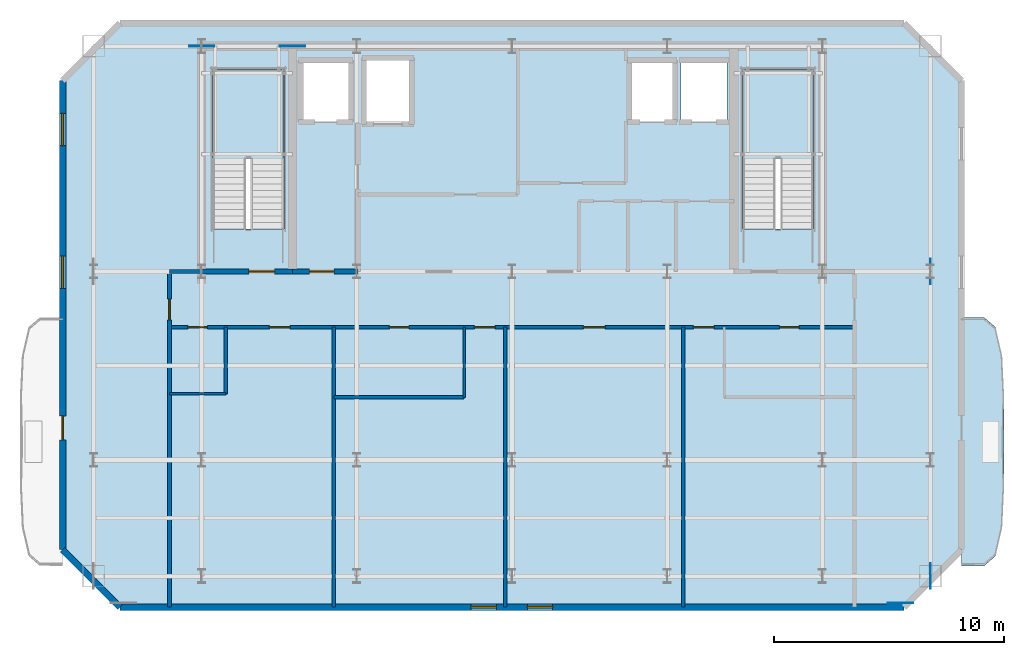
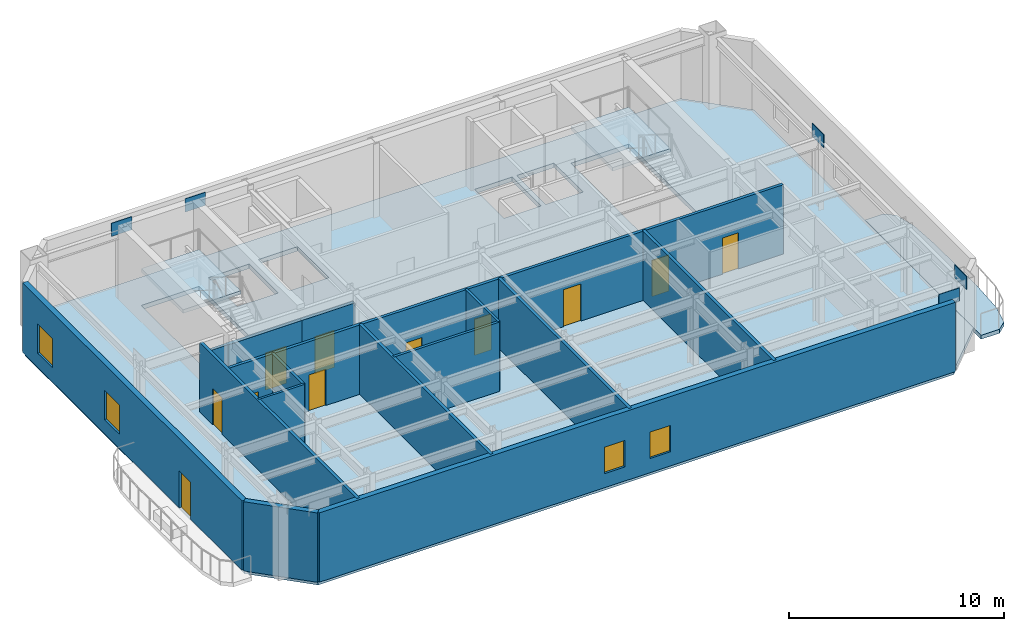
# One storey, part 2 of 6: 15 walls, 11 doors, 5 plates, 4 slabs, 4 windows, 15 openings, 2 elements without a shape of their own.
"""IFC4 building model written with IfcOpenShell, lengths in metres."""

import ifcopenshell
import ifcopenshell.guid

model = None  # the IFC model being written
_history = None  # IfcOwnerHistory: only IFC2X3 demands one
_inside = {}  # id of a spatial element -> (the spatial element, [elements in it])
_under = {}  # id of a project, library or spatial element -> (it, [spatial elements below it])
_declared = {}  # id of a project -> (the project, [libraries it declares])
_typed = {}  # id of a type object -> (the type object, [elements of that type])
_made_of = {}  # id of a material, layer set ... -> (it, [elements and type objects made of it])


def new_model(schema):
    """Start an empty IFC model of exactly this schema.

    Asked for "IFC4X3", IfcOpenShell would pick the latest addendum, in which some entities
    have other attributes; the version numbers below select the first issue.
    IFC2X3 requires an IfcOwnerHistory on every rooted entity: one is made here for all.
    """
    global model, _history
    if schema == "IFC4X3":
        model = ifcopenshell.file(schema_version=(4, 3, 0, 0))
    else:
        model = ifcopenshell.file(schema=schema)
    _inside.clear()
    _under.clear()
    _declared.clear()
    _typed.clear()
    _made_of.clear()
    _history = None
    if model.schema == "IFC2X3":
        org = make("IfcOrganization", Name="unknown")
        user = make(
            "IfcPersonAndOrganization",
            ThePerson=make("IfcPerson", FamilyName="unknown"),
            TheOrganization=org,
        )
        app = make(
            "IfcApplication",
            ApplicationDeveloper=org,
            Version="unknown",
            ApplicationFullName="unknown",
            ApplicationIdentifier="unknown",
        )
        _history = make(
            "IfcOwnerHistory",
            OwningUser=user,
            OwningApplication=app,
            ChangeAction="ADDED",
            CreationDate=0,
        )
    return model


def make(cls, **values):
    """One entity of the class cls with the attributes given. An attribute that is None is left unset."""
    return model.create_entity(
        cls, **{name: value for name, value in values.items() if value is not None}
    )


def rooted(cls, **values):
    """An entity with a GlobalId (a new one), such as an element, a storey or a relation."""
    return make(cls, GlobalId=ifcopenshell.guid.new(), OwnerHistory=_history, **values)


def si_unit(unit_type, name, prefix=None):
    """IfcSIUnit, for example si_unit("LENGTHUNIT", "METRE", prefix="MILLI")."""
    return make("IfcSIUnit", UnitType=unit_type, Prefix=prefix, Name=name)


def assignment(units):
    """IfcUnitAssignment: the units of a project."""
    return None if units is None else make("IfcUnitAssignment", Units=units)


def point(xyz):
    """IfcCartesianPoint."""
    return None if xyz is None else make("IfcCartesianPoint", Coordinates=xyz)


def direction(xyz):
    """IfcDirection."""
    return None if xyz is None else make("IfcDirection", DirectionRatios=xyz)


def frame(location, z_axis=None, x_axis=None):
    """IfcAxis2Placement3D, a coordinate frame: its origin and axes. An axis left out is left unset."""
    return make(
        "IfcAxis2Placement3D",
        Location=point(location),
        Axis=direction(z_axis),
        RefDirection=direction(x_axis),
    )


def frame_2d(location, x_axis=None):
    """IfcAxis2Placement2D, a coordinate frame in the plane: its origin and x axis."""
    return make(
        "IfcAxis2Placement2D", Location=point(location), RefDirection=direction(x_axis)
    )


def origin():
    """The frame at (0, 0, 0) with its axes left unset."""
    return frame((0.0, 0.0, 0.0))


def origin_2d():
    """The frame at (0, 0) in the plane with its x axis left unset."""
    return frame_2d((0.0, 0.0))


def place(relative_to, where):
    """IfcLocalPlacement: puts the frame where relative to a parent placement (None: the world)."""
    return make(
        "IfcLocalPlacement", PlacementRelTo=relative_to, RelativePlacement=where
    )


def context(
    kind, dimensions, precision=None, world=None, true_north=None, identifier=None
):
    """IfcGeometricRepresentationContext, for example the 3D "Model" context."""
    return make(
        "IfcGeometricRepresentationContext",
        ContextIdentifier=identifier,
        ContextType=kind,
        CoordinateSpaceDimension=dimensions,
        Precision=precision,
        WorldCoordinateSystem=world,
        TrueNorth=true_north,
    )


def subcontext(parent, identifier, kind, view, scale=None):
    """IfcGeometricRepresentationSubContext, for example "Body" below "Model"."""
    return make(
        "IfcGeometricRepresentationSubContext",
        ContextIdentifier=identifier,
        ContextType=kind,
        ParentContext=parent,
        TargetScale=scale,
        TargetView=view,
    )


def project(units=None, contexts=None):
    """IfcProject with its units and contexts."""
    return rooted(
        "IfcProject",
        Name="project",
        RepresentationContexts=contexts,
        UnitsInContext=assignment(units),
    )


def spatial(cls, under=None, at=None, **own):
    """A site, building, storey or space (cls), placed at a placement, below another one or the project."""
    s = rooted(cls, ObjectPlacement=at, **own)
    if under is not None:
        _under.setdefault(under.id(), (under, []))[1].append(s)
    return s


def polyline(points):
    """IfcPolyline through the points."""
    return make("IfcPolyline", Points=[point(p) for p in points])


def profile(cls, at=None, kind="AREA", **sizes):
    """A parametric profile (cls). Its sizes go by their IFC names, for example OverallWidth=200.0."""
    return make(cls, ProfileType=kind, Position=at, **sizes)


def rectangle(**sizes):
    """IfcRectangleProfileDef."""
    return profile("IfcRectangleProfileDef", **sizes)


def outline(outer, holes=None, kind="AREA"):
    """IfcArbitraryClosedProfileDef: a profile drawn as a closed curve; with holes, ...WithVoids."""
    if holes is None:
        return make("IfcArbitraryClosedProfileDef", ProfileType=kind, OuterCurve=outer)
    return make(
        "IfcArbitraryProfileDefWithVoids",
        ProfileType=kind,
        OuterCurve=outer,
        InnerCurves=holes,
    )


def extrude(swept, where, along, depth):
    """IfcExtrudedAreaSolid: the profile swept, set in the frame where, extruded along a direction by depth."""
    return make(
        "IfcExtrudedAreaSolid",
        SweptArea=swept,
        Position=where,
        ExtrudedDirection=direction(along),
        Depth=depth,
    )


def shape(context_of_items, identifier, shape_type, items):
    """IfcShapeRepresentation: the items that make up one representation, for example the "Body"."""
    return make(
        "IfcShapeRepresentation",
        ContextOfItems=context_of_items,
        RepresentationIdentifier=identifier,
        RepresentationType=shape_type,
        Items=items,
    )


def material(Name=None, Category=None):
    """IfcMaterial."""
    return make("IfcMaterial", Name=Name, Category=Category)


def layer(
    of_material, thickness, ventilated=None, Name=None, Category=None, Priority=None
):
    """IfcMaterialLayer: one layer of a wall or slab, of a material (None: an air gap)."""
    return make(
        "IfcMaterialLayer",
        Material=of_material,
        LayerThickness=thickness,
        IsVentilated=ventilated,
        Name=Name,
        Category=Category,
        Priority=Priority,
    )


def layer_set(layers, Name=None):
    """IfcMaterialLayerSet."""
    return make("IfcMaterialLayerSet", MaterialLayers=layers, LayerSetName=Name)


def made_of(thing, what):
    """Note that an element or type object is made of a material, layer set ...; save() writes the relation."""
    if what is not None:
        _made_of.setdefault(what.id(), (what, []))[1].append(thing)
    return thing


def type_object(cls, material=None, **own):
    """A type object (cls), such as IfcWallType, which elements share."""
    return made_of(rooted(cls, **own), material)


def element(
    cls,
    number,
    at=None,
    inside=None,
    cuts=None,
    type_object=None,
    material=None,
    context=None,
    identifier="Body",
    shape_type=None,
    held_by="IfcProductDefinitionShape",
    body=None,
    shapes=None,
    **own,
):
    """One element of the class cls, such as IfcWall. Its Tag is "e" and its number.

    at: its placement. inside: the storey or other place that contains it. cuts: it is an
    opening in that element (IfcRelVoidsElement). A single representation is given by context,
    identifier, shape_type and body (its items); several are given by shapes. held_by: the class
    of the entity that holds the representations. save() writes the other relations.
    """
    e = rooted(cls, Tag="e%d" % number, ObjectPlacement=at, **own)
    if body is not None:
        shapes = [shape(context, identifier, shape_type, body)]
    if shapes is not None:
        e.Representation = make(held_by, Representations=shapes)
    if inside is not None:
        _inside.setdefault(inside.id(), (inside, []))[1].append(e)
    if cuts is not None:
        rooted(
            "IfcRelVoidsElement", RelatingBuildingElement=cuts, RelatedOpeningElement=e
        )
    if type_object is not None:
        _typed.setdefault(type_object.id(), (type_object, []))[1].append(e)
    return made_of(e, material)


def fill(opening, filler):
    """IfcRelFillsElement: the door or window that sits in an opening."""
    return rooted(
        "IfcRelFillsElement",
        RelatingOpeningElement=opening,
        RelatedBuildingElement=filler,
    )


def aggregate(whole, parts):
    """IfcRelAggregates: a whole, such as a stair, and the parts it consists of."""
    return rooted("IfcRelAggregates", RelatingObject=whole, RelatedObjects=parts)


def save(model, path):
    """Write the relations noted so far, then the file.

    IfcRelAggregates (storeys below a building ...), IfcRelContainedInSpatialStructure (elements
    in a storey), IfcRelDefinesByType, IfcRelAssociatesMaterial and IfcRelDeclares: one each for
    every whole, place, type object, material and project.
    """
    for whole, parts in _under.values():
        aggregate(whole, parts)
    for where, things in _inside.values():
        rooted(
            "IfcRelContainedInSpatialStructure",
            RelatedElements=things,
            RelatingStructure=where,
        )
    for kind, things in _typed.values():
        rooted("IfcRelDefinesByType", RelatedObjects=things, RelatingType=kind)
    for what, things in _made_of.values():
        rooted("IfcRelAssociatesMaterial", RelatedObjects=things, RelatingMaterial=what)
    for by, libraries in _declared.values():
        rooted("IfcRelDeclares", RelatingContext=by, RelatedDefinitions=libraries)
    model.write(path)


model = new_model("IFC4")

# Units and contexts
model_context = context("Model", 3, precision=1e-05, world=origin(), true_north=direction((0.0, 1.0)))
body_context = subcontext(model_context, "Body", "Model", "MODEL_VIEW")
ifc_project = project(units=[si_unit("LENGTHUNIT", "METRE"), si_unit("AREAUNIT", "SQUARE_METRE"), si_unit("VOLUMEUNIT", "CUBIC_METRE"), si_unit("PLANEANGLEUNIT", "RADIAN"), si_unit("MASSUNIT", "GRAM", prefix="KILO")], contexts=[model_context])

# Site, building, storey
site_placement = place(None, origin())
site = spatial("IfcSite", under=ifc_project, at=site_placement, CompositionType="ELEMENT")
building_placement = place(site_placement, origin())
building = spatial("IfcBuilding", under=site, at=building_placement, Name="Haevon Station Towers", CompositionType="ELEMENT")
storey_placement = place(building_placement, frame((0.0, 0.0, 265.800048828125)))
storey = spatial("IfcBuildingStorey", under=building, at=storey_placement, Name="L74", CompositionType="ELEMENT", Elevation=265.800048828125)

# Plates
ifc_material_1 = material(Name="PL-SPL1", Category="steel")
ifc_layer_1 = layer(ifc_material_1, 0.031982421875)
ifc_layer_set_1 = layer_set([ifc_layer_1], Name="PL-SPL1")
plate_type = type_object("IfcPlateType", Name="PL-SPL1", PredefinedType="USERDEFINED", material=ifc_layer_set_1)
for number, where, z_axis, x_axis, name in (
    (1, (54.39990234375, 23.780029296875, 3.675048828125), (0.0, 0.0, 1.0), (1.0, 0.0, 0.0), "PL-T1SPL-T11-S-4"),
    (2, (24.0, 48.0, 3.675048828125), (0.0, 0.0, 1.0), (1.0, 0.0, 0.0), "PL-T1SPL-T11-N-3"),
    (3, (27.949951171875, 48.0, 3.675048828125), (0.0, 0.0, 1.0), (1.0, 0.0, 0.0), "PL-T1SPL-T11-N-4"),
    (4, (55.699951171875, 24.949951171875, 3.675048828125), (0.0, 0.0, 1.0), (0.0, 1.0, 0.0), "PL-T1SPL-T11-E-3"),
    (5, (55.699951171875, 38.199951171875, 3.675048828125), (0.0, 0.0, 1.0), (0.0, 1.0, 0.0), "PL-T1SPL-T11-E-4"),
):
    element("IfcPlate", number, at=place(storey_placement, frame(where, z_axis=z_axis, x_axis=x_axis)), inside=storey, type_object=plate_type, Name=name, ObjectType="SPLICE_PLATE", PredefinedType="USERDEFINED", context=body_context, shape_type="SweptSolid", body=[
        extrude(rectangle(XDim=1.10009765625, YDim=0.031982421875, at=origin_2d()), origin(), (0.0, 0.0, 1.0), 0.75),
    ])

# Slab
ifc_material_2 = material(Name="Concrete C40/50", Category="concrete")
ifc_layer_2 = layer(ifc_material_2, 0.219970703125)
ifc_layer_set_2 = layer_set([ifc_layer_2], Name="Concrete C40/50")
slab_type_1 = type_object("IfcSlabType", Name="SL-BALC220", PredefinedType="FLOOR", material=ifc_layer_set_2)
slab_1_placement = place(storey_placement, frame((0.0, 0.0, -0.219970703125)))
element("IfcSlab", 6, at=slab_1_placement, inside=storey, type_object=slab_type_1, Name="Tower 1 L74 East SCALLOPED BALCONY", PredefinedType="FLOOR", context=body_context, shape_type="SweptSolid", body=[
    extrude(outline(polyline([(57.054931640625, 25.39990234375), (58.04345703125, 25.39990234375), (58.518310546875, 25.81103515625), (58.79833984375, 26.981689453125), (58.890869140625, 28.7333984375), (58.9013671875, 30.800048828125), (58.890869140625, 32.866455078125), (58.79833984375, 34.618408203125), (58.518310546875, 35.7890625), (58.04345703125, 36.199951171875), (57.054931640625, 36.199951171875), (57.054931640625, 25.39990234375)])), origin(), (0.0, 0.0, 1.0), 0.219970703125),
])

# Stair, slab
stair_type = type_object("IfcStairType", Name="STR-DL1450", PredefinedType="USERDEFINED", material=ifc_material_2)
stair_1_placement = place(storey_placement, origin())
stair_1 = element("IfcStair", 7, at=stair_1_placement, inside=storey, type_object=stair_type, Name="L74 Escape Stair ST1", ObjectType="TWO_RETURN_STAIR", PredefinedType="USERDEFINED")
ifc_layer_3 = layer(ifc_material_2, 0.199951171875)
ifc_layer_set_3 = layer_set([ifc_layer_3], Name="Concrete C40/50")
slab_type_2 = type_object("IfcSlabType", Name="SL-LND200", PredefinedType="LANDING", material=ifc_layer_set_3)
slab_2_placement = place(storey_placement, frame((0.0, 0.0, 1.89990234375)))
slab_2 = element("IfcSlab", 8, at=slab_2_placement, type_object=slab_type_2, Name="L74 ST1 Half Landing 1", PredefinedType="LANDING", context=body_context, shape_type="SweptSolid", body=[
    extrude(outline(polyline([(27.580078125, 43.1240234375), (27.580078125, 47.0), (24.47998046875, 47.0), (24.47998046875, 43.1240234375), (27.580078125, 43.1240234375)])), origin(), (0.0, 0.0, 1.0), 0.199951171875),
])
aggregate(stair_1, [slab_2])

stair_2_placement = place(storey_placement, origin())
stair_2 = element("IfcStair", 9, at=stair_2_placement, inside=storey, type_object=stair_type, Name="L74 Escape Stair ST2", ObjectType="TWO_RETURN_STAIR", PredefinedType="USERDEFINED")
slab_3_placement = place(storey_placement, frame((0.0, 0.0, 1.89990234375)))
slab_3 = element("IfcSlab", 10, at=slab_3_placement, type_object=slab_type_2, Name="L74 ST2 Half Landing 1", PredefinedType="LANDING", context=body_context, shape_type="SweptSolid", body=[
    extrude(outline(polyline([(50.6201171875, 43.1240234375), (50.6201171875, 47.0), (47.52001953125, 47.0), (47.52001953125, 43.1240234375), (50.6201171875, 43.1240234375)])), origin(), (0.0, 0.0, 1.0), 0.199951171875),
])
aggregate(stair_2, [slab_3])

# Slab
ifc_layer_4 = layer(ifc_material_2, 0.25)
ifc_layer_set_4 = layer_set([ifc_layer_4], Name="Concrete C40/50")
slab_type_3 = type_object("IfcSlabType", Name="SL-TW250", PredefinedType="FLOOR", material=ifc_layer_set_4)
slab_4_placement = place(storey_placement, frame((0.0, 0.0, -0.25)))
element("IfcSlab", 11, at=slab_4_placement, inside=storey, type_object=slab_type_3, Name="SL-T1-L74", PredefinedType="FLOOR", context=body_context, shape_type="SweptSolid", body=[
    extrude(outline(polyline([(20.449951171875, 23.60009765625), (54.550048828125, 23.60009765625), (57.050048828125, 26.10009765625), (57.050048828125, 46.5), (54.550048828125, 49.0), (20.449951171875, 49.0), (17.949951171875, 46.5), (17.949951171875, 26.10009765625), (20.449951171875, 23.60009765625)]), holes=[polyline([(27.580078125, 40.055908203125), (27.580078125, 47.0), (24.47998046875, 47.0), (24.47998046875, 40.055908203125), (27.580078125, 40.055908203125)]), polyline([(50.6201171875, 40.055908203125), (50.6201171875, 47.0), (47.52001953125, 47.0), (47.52001953125, 40.055908203125), (50.6201171875, 40.055908203125)]), polyline([(28.300048828125, 44.699951171875), (30.5, 44.699951171875), (30.5, 47.39990234375), (28.300048828125, 47.39990234375), (28.300048828125, 44.699951171875)]), polyline([(31.050048828125, 44.60009765625), (33.14990234375, 44.60009765625), (33.14990234375, 47.5), (31.050048828125, 47.5), (31.050048828125, 44.60009765625)]), polyline([(42.60009765625, 44.699951171875), (44.60009765625, 44.699951171875), (44.60009765625, 47.39990234375), (42.60009765625, 47.39990234375), (42.60009765625, 44.699951171875)]), polyline([(44.85009765625, 44.699951171875), (46.85009765625, 44.699951171875), (46.85009765625, 47.39990234375), (44.85009765625, 47.39990234375), (44.85009765625, 44.699951171875)])]), origin(), (0.0, 0.0, 1.0), 0.25),
])

# Wall, opening, door
ifc_material_3 = material(Name="Gypsum board on steel stud", Category="steel")
ifc_layer_5 = layer(ifc_material_3, 0.199951171875)
ifc_layer_set_5 = layer_set([ifc_layer_5], Name="Gypsum board on steel stud")
wall_type_1 = type_object("IfcWallType", Name="WL-COR200", PredefinedType="PARTITIONING", material=ifc_layer_set_5)
wall_1_placement = place(storey_placement, frame((24.0, 38.199951171875, 0.0), z_axis=(0.0, 0.0, 1.0), x_axis=(1.0, 0.0, 0.0)))
wall_1 = element("IfcWall", 12, at=wall_1_placement, inside=storey, type_object=wall_type_1, Name="WL-ST-ST1-L74", PredefinedType="PARTITIONING", context=body_context, shape_type="SweptSolid", body=[
    extrude(rectangle(XDim=3.949951171875, YDim=0.199951171875, at=frame_2d((1.97509765625, 0.0))), origin(), (0.0, 0.0, 1.0), 3.329833984375),
])
opening_1_placement = place(wall_1_placement, frame((2.050048828125, 0.0, 0.0)))
opening_1 = element("IfcOpeningElement", 13, at=opening_1_placement, cuts=wall_1, Name="Opening DR-ST-ST1-L74", PredefinedType="OPENING", context=body_context, shape_type="SweptSolid", body=[
    extrude(rectangle(XDim=1.1201171875, YDim=2.10009765625, at=frame_2d((0.56005859375, 1.050048828125))), frame((0.0, 0.10986328125, 0.0), z_axis=(0.0, -1.0, 0.0), x_axis=(1.0, 0.0, 0.0)), (0.0, 0.0, 1.0), 0.219970703125),
])
ifc_material_4 = material(Name="Engineered oak timber", Category="wood")
door_type_1 = type_object("IfcDoorType", Name="DR-ST-1120", OperationType="NOTDEFINED", PredefinedType="DOOR", material=ifc_material_4)
door_1_placement = place(opening_1_placement, origin())
door_1 = element("IfcDoor", 14, at=door_1_placement, inside=storey, type_object=door_type_1, Name="L74 Escape Stair ST1 Fire Door", OperationType="SINGLE_SWING_RIGHT", OverallHeight=2.10009765625, OverallWidth=1.1201171875, PredefinedType="DOOR", context=body_context, shape_type="SweptSolid", body=[
    extrude(rectangle(XDim=1.1201171875, YDim=2.10009765625, at=frame_2d((0.56005859375, 1.050048828125))), frame((0.0, 0.02490234375, 0.0), z_axis=(0.0, -1.0, 0.0), x_axis=(1.0, 0.0, 0.0)), (0.0, 0.0, 1.0), 0.050048828125),
])
fill(opening_1, door_1)

wall_2_placement = place(storey_placement, frame((27.949951171875, 38.199951171875, 0.0), z_axis=(0.0, 0.0, 1.0), x_axis=(1.0, 0.0, 0.0)))
wall_2 = element("IfcWall", 15, at=wall_2_placement, inside=storey, type_object=wall_type_1, Name="WL-T1FFL-L74-S", PredefinedType="PARTITIONING", context=body_context, shape_type="SweptSolid", body=[
    extrude(rectangle(XDim=2.85009765625, YDim=0.199951171875, at=frame_2d((1.425048828125, 0.0))), origin(), (0.0, 0.0, 1.0), 3.329833984375),
])
opening_2_placement = place(wall_2_placement, frame((0.75, 0.0, 0.0)))
opening_2 = element("IfcOpeningElement", 16, at=opening_2_placement, cuts=wall_2, Name="Opening DR-T1FFL-L74-S", PredefinedType="OPENING", context=body_context, shape_type="SweptSolid", body=[
    extrude(rectangle(XDim=1.050048828125, YDim=2.10009765625, at=frame_2d((0.52490234375, 1.050048828125))), frame((0.0, 0.10986328125, 0.0), z_axis=(0.0, -1.0, 0.0), x_axis=(1.0, 0.0, 0.0)), (0.0, 0.0, 1.0), 0.219970703125),
])
door_type_2 = type_object("IfcDoorType", Name="DR-FD60-1050", OperationType="NOTDEFINED", PredefinedType="DOOR", material=ifc_material_4)
door_2_placement = place(opening_2_placement, origin())
door_2 = element("IfcDoor", 17, at=door_2_placement, inside=storey, type_object=door_type_2, Name="L74 Tower 1 Firefighting Lift Lobby Door S", OperationType="SINGLE_SWING_LEFT", OverallHeight=2.10009765625, OverallWidth=1.050048828125, PredefinedType="DOOR", context=body_context, shape_type="SweptSolid", body=[
    extrude(rectangle(XDim=1.050048828125, YDim=2.10009765625, at=frame_2d((0.52490234375, 1.050048828125))), frame((0.0, 0.02490234375, 0.0), z_axis=(0.0, -1.0, 0.0), x_axis=(1.0, 0.0, 0.0)), (0.0, 0.0, 1.0), 0.050048828125),
])
fill(opening_2, door_2)

# Wall, openings, windows
ifc_material_5 = material(Name="Precast concrete C45/55", Category="concrete")
ifc_layer_6 = layer(ifc_material_5, 0.280029296875)
ifc_layer_set_6 = layer_set([ifc_layer_6], Name="Precast concrete C45/55")
wall_type_2 = type_object("IfcWallType", Name="WL-EXT-PIER280", PredefinedType="SOLIDWALL", material=ifc_layer_set_6)
wall_3_placement = place(storey_placement, frame((54.550048828125, 23.60009765625, 0.0), z_axis=(0.0, 0.0, 1.0), x_axis=(-1.0, 0.0, 0.0)))
wall_3 = element("IfcWall", 18, at=wall_3_placement, inside=storey, type_object=wall_type_2, Name="WL-T1-L74-S", PredefinedType="SOLIDWALL", context=body_context, shape_type="SweptSolid", body=[
    extrude(rectangle(XDim=34.10009765625, YDim=0.280029296875, at=frame_2d((17.050048828125, 0.0))), origin(), (0.0, 0.0, 1.0), 3.929931640625),
])
opening_3_placement = place(wall_3_placement, frame((17.72802734375, 0.0, 0.800048828125)))
opening_3 = element("IfcOpeningElement", 19, at=opening_3_placement, cuts=wall_3, Name="Opening WN-COR110", PredefinedType="OPENING", context=body_context, shape_type="SweptSolid", body=[
    extrude(rectangle(XDim=1.10009765625, YDim=1.5, at=frame_2d((0.550048828125, 0.75))), frame((0.0, 0.14990234375, 0.0), z_axis=(0.0, -1.0, 0.0), x_axis=(1.0, 0.0, 0.0)), (0.0, 0.0, 1.0), 0.300048828125),
])
opening_4_placement = place(wall_3_placement, frame((15.279296875, 0.0, 0.800048828125)))
opening_4 = element("IfcOpeningElement", 20, at=opening_4_placement, cuts=wall_3, Name="Opening WN-COR110", PredefinedType="OPENING", context=body_context, shape_type="SweptSolid", body=[
    extrude(rectangle(XDim=1.10009765625, YDim=1.5, at=frame_2d((0.550048828125, 0.75))), frame((0.0, 0.14990234375, 0.0), z_axis=(0.0, -1.0, 0.0), x_axis=(1.0, 0.0, 0.0)), (0.0, 0.0, 1.0), 0.300048828125),
])
ifc_material_6 = material(Name="Low-E triple glazing in thermally broken aluminium", Category="aluminium")
window_type_1 = type_object("IfcWindowType", Name="WN-COR110", PartitioningType="SINGLE_PANEL", PredefinedType="WINDOW", material=ifc_material_6)
window_1_placement = place(opening_3_placement, origin())
window_1 = element("IfcWindow", 21, at=window_1_placement, inside=storey, type_object=window_type_1, Name="WN-T1-L74-S01", OverallHeight=1.5, OverallWidth=1.10009765625, PartitioningType="SINGLE_PANEL", PredefinedType="WINDOW", context=body_context, shape_type="SweptSolid", body=[
    extrude(rectangle(XDim=1.10009765625, YDim=1.5, at=frame_2d((0.550048828125, 0.75))), frame((0.0, 0.030029296875, 0.0), z_axis=(0.0, -1.0, 0.0), x_axis=(1.0, 0.0, 0.0)), (0.0, 0.0, 1.0), 0.06005859375),
])
fill(opening_3, window_1)
window_2_placement = place(opening_4_placement, origin())
window_2 = element("IfcWindow", 22, at=window_2_placement, inside=storey, type_object=window_type_1, Name="WN-T1-L74-S02", OverallHeight=1.5, OverallWidth=1.10009765625, PartitioningType="SINGLE_PANEL", PredefinedType="WINDOW", context=body_context, shape_type="SweptSolid", body=[
    extrude(rectangle(XDim=1.10009765625, YDim=1.5, at=frame_2d((0.550048828125, 0.75))), frame((0.0, 0.030029296875, 0.0), z_axis=(0.0, -1.0, 0.0), x_axis=(1.0, 0.0, 0.0)), (0.0, 0.0, 1.0), 0.06005859375),
])
fill(opening_4, window_2)

# Wall
wall_4_placement = place(storey_placement, frame((20.449951171875, 23.60009765625, 0.0), z_axis=(0.0, 0.0, 1.0), x_axis=(-0.707106781187, 0.707106781187, 0.0)))
element("IfcWall", 23, at=wall_4_placement, inside=storey, type_object=wall_type_2, Name="WL-T1-L74-SWC", PredefinedType="SOLIDWALL", context=body_context, shape_type="SweptSolid", body=[
    extrude(rectangle(XDim=3.53564453125, YDim=0.280029296875, at=frame_2d((1.767822265625, 0.0))), origin(), (0.0, 0.0, 1.0), 3.929931640625),
])

# Wall, openings, door, windows
wall_5_placement = place(storey_placement, frame((17.949951171875, 26.10009765625, 0.0), z_axis=(0.0, 0.0, 1.0), x_axis=(0.0, 1.0, 0.0)))
wall_5 = element("IfcWall", 24, at=wall_5_placement, inside=storey, type_object=wall_type_2, Name="WL-T1-L74-W", PredefinedType="SOLIDWALL", context=body_context, shape_type="SweptSolid", body=[
    extrude(rectangle(XDim=20.39990234375, YDim=0.280029296875, at=frame_2d((10.199951171875, 0.0))), origin(), (0.0, 0.0, 1.0), 3.929931640625),
])
opening_5_placement = place(wall_5_placement, frame((4.77490234375, 0.0, 0.0)))
opening_5 = element("IfcOpeningElement", 25, at=opening_5_placement, cuts=wall_5, Name="Opening DR-T1-SCAL-L74-W", PredefinedType="OPENING", context=body_context, shape_type="SweptSolid", body=[
    extrude(rectangle(XDim=1.050048828125, YDim=2.10009765625, at=frame_2d((0.52490234375, 1.050048828125))), frame((0.0, 0.14990234375, 0.0), z_axis=(0.0, -1.0, 0.0), x_axis=(1.0, 0.0, 0.0)), (0.0, 0.0, 1.0), 0.300048828125),
])
opening_6_placement = place(wall_5_placement, frame((11.3642578125, 0.0, 0.800048828125)))
opening_6 = element("IfcOpeningElement", 26, at=opening_6_placement, cuts=wall_5, Name="Opening WN-END140", PredefinedType="OPENING", context=body_context, shape_type="SweptSolid", body=[
    extrude(rectangle(XDim=1.39990234375, YDim=1.64990234375, at=frame_2d((0.699951171875, 0.824951171875))), frame((0.0, 0.14990234375, 0.0), z_axis=(0.0, -1.0, 0.0), x_axis=(1.0, 0.0, 0.0)), (0.0, 0.0, 1.0), 0.300048828125),
])
opening_7_placement = place(wall_5_placement, frame((17.57861328125, 0.0, 0.800048828125)))
opening_7 = element("IfcOpeningElement", 27, at=opening_7_placement, cuts=wall_5, Name="Opening WN-END140", PredefinedType="OPENING", context=body_context, shape_type="SweptSolid", body=[
    extrude(rectangle(XDim=1.39990234375, YDim=1.64990234375, at=frame_2d((0.699951171875, 0.824951171875))), frame((0.0, 0.14990234375, 0.0), z_axis=(0.0, -1.0, 0.0), x_axis=(1.0, 0.0, 0.0)), (0.0, 0.0, 1.0), 0.300048828125),
])
ifc_material_7 = material(Name="Thermally broken anodised aluminium and laminated safety glass", Category="aluminium")
door_type_3 = type_object("IfcDoorType", Name="DR-BALC-1050", OperationType="NOTDEFINED", PredefinedType="DOOR", material=ifc_material_7)
door_3_placement = place(opening_5_placement, origin())
door_3 = element("IfcDoor", 28, at=door_3_placement, inside=storey, type_object=door_type_3, Name="Tower 1 L74 West Scalloped Balcony Door", OperationType="SINGLE_SWING_LEFT", OverallHeight=2.10009765625, OverallWidth=1.050048828125, PredefinedType="DOOR", context=body_context, shape_type="SweptSolid", body=[
    extrude(rectangle(XDim=1.050048828125, YDim=2.10009765625, at=frame_2d((0.52490234375, 1.050048828125))), frame((0.0, 0.02490234375, 0.0), z_axis=(0.0, -1.0, 0.0), x_axis=(1.0, 0.0, 0.0)), (0.0, 0.0, 1.0), 0.050048828125),
])
fill(opening_5, door_3)
window_type_2 = type_object("IfcWindowType", Name="WN-END140", PartitioningType="SINGLE_PANEL", PredefinedType="WINDOW", material=ifc_material_6)
window_3_placement = place(opening_6_placement, origin())
window_3 = element("IfcWindow", 29, at=window_3_placement, inside=storey, type_object=window_type_2, Name="WN-T1-L74-W01", OverallHeight=1.64990234375, OverallWidth=1.39990234375, PartitioningType="SINGLE_PANEL", PredefinedType="WINDOW", context=body_context, shape_type="SweptSolid", body=[
    extrude(rectangle(XDim=1.39990234375, YDim=1.64990234375, at=frame_2d((0.699951171875, 0.824951171875))), frame((0.0, 0.030029296875, 0.0), z_axis=(0.0, -1.0, 0.0), x_axis=(1.0, 0.0, 0.0)), (0.0, 0.0, 1.0), 0.06005859375),
])
fill(opening_6, window_3)
window_4_placement = place(opening_7_placement, origin())
window_4 = element("IfcWindow", 30, at=window_4_placement, inside=storey, type_object=window_type_2, Name="WN-T1-L74-W02", OverallHeight=1.64990234375, OverallWidth=1.39990234375, PartitioningType="SINGLE_PANEL", PredefinedType="WINDOW", context=body_context, shape_type="SweptSolid", body=[
    extrude(rectangle(XDim=1.39990234375, YDim=1.64990234375, at=frame_2d((0.699951171875, 0.824951171875))), frame((0.0, 0.030029296875, 0.0), z_axis=(0.0, -1.0, 0.0), x_axis=(1.0, 0.0, 0.0)), (0.0, 0.0, 1.0), 0.06005859375),
])
fill(opening_7, window_4)

# Walls
ifc_layer_7 = layer(ifc_material_3, 0.125)
ifc_layer_set_7 = layer_set([ifc_layer_7], Name="Gypsum board on steel stud")
wall_type_3 = type_object("IfcWallType", Name="WL-PRT125", PredefinedType="PARTITIONING", material=ifc_layer_set_7)
wall_6_placement = place(storey_placement, frame((22.60009765625, 32.8798828125, 0.0), z_axis=(0.0, 0.0, 1.0), x_axis=(1.0, 0.0, 0.0)))
element("IfcWall", 31, at=wall_6_placement, inside=storey, type_object=wall_type_3, Name="WL-T1PT-L74-05", PredefinedType="PARTITIONING", context=body_context, shape_type="SweptSolid", body=[
    extrude(rectangle(XDim=2.449951171875, YDim=0.125, at=frame_2d((1.22509765625, 0.0))), origin(), (0.0, 0.0, 1.0), 3.929931640625),
])
wall_7_placement = place(storey_placement, frame((35.422119140625, 32.72998046875, 0.0), z_axis=(0.0, 0.0, 1.0), x_axis=(0.0, 1.0, 0.0)))
element("IfcWall", 32, at=wall_7_placement, inside=storey, type_object=wall_type_3, Name="WL-T1PT-L74-09", PredefinedType="PARTITIONING", context=body_context, shape_type="SweptSolid", body=[
    extrude(rectangle(XDim=3.050048828125, YDim=0.125, at=frame_2d((1.52490234375, 0.0))), origin(), (0.0, 0.0, 1.0), 3.929931640625),
])
ifc_layer_8 = layer(ifc_material_3, 0.139892578125)
ifc_layer_set_8 = layer_set([ifc_layer_8], Name="Gypsum board on steel stud")
wall_type_4 = type_object("IfcWallType", Name="WL-PRT140", PredefinedType="PARTITIONING", material=ifc_layer_set_8)
wall_8_placement = place(storey_placement, frame((25.050048828125, 32.8798828125, 0.0), z_axis=(0.0, 0.0, 1.0), x_axis=(0.0, 1.0, 0.0)))
element("IfcWall", 33, at=wall_8_placement, inside=storey, type_object=wall_type_4, Name="WL-T1PT-L74-06", PredefinedType="PARTITIONING", context=body_context, shape_type="SweptSolid", body=[
    extrude(rectangle(XDim=2.900146484375, YDim=0.139892578125, at=frame_2d((1.4501953125, 0.0))), origin(), (0.0, 0.0, 1.0), 3.929931640625),
])
wall_9_placement = place(storey_placement, frame((29.751953125, 32.72998046875, 0.0), z_axis=(0.0, 0.0, 1.0), x_axis=(1.0, 0.0, 0.0)))
element("IfcWall", 34, at=wall_9_placement, inside=storey, type_object=wall_type_4, Name="WL-T1PT-L74-08", PredefinedType="PARTITIONING", context=body_context, shape_type="SweptSolid", body=[
    extrude(rectangle(XDim=5.670166015625, YDim=0.139892578125, at=frame_2d((2.8349609375, 0.0))), origin(), (0.0, 0.0, 1.0), 3.929931640625),
])
ifc_layer_9 = layer(ifc_material_3, 0.159912109375)
ifc_layer_set_9 = layer_set([ifc_layer_9], Name="Gypsum board on steel stud")
wall_type_5 = type_object("IfcWallType", Name="WL-PRT160", PredefinedType="PARTITIONING", material=ifc_layer_set_9)
wall_10_placement = place(storey_placement, frame((22.60009765625, 38.199951171875, 0.0), z_axis=(0.0, 0.0, 1.0), x_axis=(1.0, 0.0, 0.0)))
element("IfcWall", 35, at=wall_10_placement, inside=storey, type_object=wall_type_5, Name="WL-T1PT-L74-01", PredefinedType="PARTITIONING", context=body_context, shape_type="SweptSolid", body=[
    extrude(rectangle(XDim=1.39990234375, YDim=0.159912109375, at=frame_2d((0.699951171875, 0.0))), origin(), (0.0, 0.0, 1.0), 3.329833984375),
])

# Wall, opening, door
wall_11_placement = place(storey_placement, frame((22.60009765625, 23.60009765625, 0.0), z_axis=(0.0, 0.0, 1.0), x_axis=(0.0, 1.0, 0.0)))
wall_11 = element("IfcWall", 36, at=wall_11_placement, inside=storey, type_object=wall_type_5, Name="WL-T1PT-L74-03", PredefinedType="PARTITIONING", context=body_context, shape_type="SweptSolid", body=[
    extrude(rectangle(XDim=14.599853515625, YDim=0.159912109375, at=frame_2d((7.2998046875, 0.0))), origin(), (0.0, 0.0, 1.0), 3.929931640625),
])
opening_8_placement = place(wall_11_placement, frame((12.5, 0.0, 0.0)))
opening_8 = element("IfcOpeningElement", 37, at=opening_8_placement, cuts=wall_11, Name="Opening DR-WL-T1PT-L74-03-01", PredefinedType="OPENING", context=body_context, shape_type="SweptSolid", body=[
    extrude(rectangle(XDim=0.89990234375, YDim=2.050048828125, at=frame_2d((0.449951171875, 1.02490234375))), frame((0.0, 0.08984375, 0.0), z_axis=(0.0, -1.0, 0.0), x_axis=(1.0, 0.0, 0.0)), (0.0, 0.0, 1.0), 0.179931640625),
])
door_type_4 = type_object("IfcDoorType", Name="DR-INT-900", OperationType="NOTDEFINED", PredefinedType="DOOR", material=ifc_material_4)
door_4_placement = place(opening_8_placement, origin())
door_4 = element("IfcDoor", 38, at=door_4_placement, inside=storey, type_object=door_type_4, Name="L74 Tower 1 Room Door 3-1", OperationType="SINGLE_SWING_RIGHT", OverallHeight=2.050048828125, OverallWidth=0.89990234375, PredefinedType="DOOR", context=body_context, shape_type="SweptSolid", body=[
    extrude(rectangle(XDim=0.89990234375, YDim=2.050048828125, at=frame_2d((0.449951171875, 1.02490234375))), frame((0.0, 0.02490234375, 0.0), z_axis=(0.0, -1.0, 0.0), x_axis=(1.0, 0.0, 0.0)), (0.0, 0.0, 1.0), 0.050048828125),
])
fill(opening_8, door_4)

# Walls
for number, where, z_axis, x_axis, name in (
    (39, (29.751953125, 23.60009765625, 0.0), (0.0, 0.0, 1.0), (0.0, 1.0, 0.0), "WL-T1PT-L74-07"),
    (40, (37.201904296875, 23.60009765625, 0.0), (0.0, 0.0, 1.0), (0.0, 1.0, 0.0), "WL-T1PT-L74-10"),
    (41, (44.949951171875, 23.60009765625, 0.0), (0.0, 0.0, 1.0), (0.0, 1.0, 0.0), "WL-T1PT-L74-11"),
):
    element("IfcWall", number, at=place(storey_placement, frame(where, z_axis=z_axis, x_axis=x_axis)), inside=storey, type_object=wall_type_5, Name=name, PredefinedType="PARTITIONING", context=body_context, shape_type="SweptSolid", body=[
        extrude(rectangle(XDim=12.179931640625, YDim=0.159912109375, at=frame_2d((6.08984375, 0.0))), origin(), (0.0, 0.0, 1.0), 3.929931640625),
    ])

# Wall, openings, doors
wall_12_placement = place(storey_placement, frame((22.60009765625, 35.780029296875, 0.0), z_axis=(0.0, 0.0, 1.0), x_axis=(1.0, 0.0, 0.0)))
wall_12 = element("IfcWall", 42, at=wall_12_placement, inside=storey, type_object=wall_type_5, Name="WL-T1PT-L74-14", PredefinedType="PARTITIONING", context=body_context, shape_type="SweptSolid", body=[
    extrude(rectangle(XDim=29.7998046875, YDim=0.159912109375, at=frame_2d((14.89990234375, 0.0))), origin(), (0.0, 0.0, 1.0), 3.929931640625),
])
opening_9_placement = place(wall_12_placement, frame((0.800048828125, 0.0, 0.0)))
opening_9 = element("IfcOpeningElement", 43, at=opening_9_placement, cuts=wall_12, Name="Opening DR-WL-T1PT-L74-14-01", PredefinedType="OPENING", context=body_context, shape_type="SweptSolid", body=[
    extrude(rectangle(XDim=0.85009765625, YDim=2.050048828125, at=frame_2d((0.425048828125, 1.02490234375))), frame((0.0, 0.08984375, 0.0), z_axis=(0.0, -1.0, 0.0), x_axis=(1.0, 0.0, 0.0)), (0.0, 0.0, 1.0), 0.179931640625),
])
opening_10_placement = place(wall_12_placement, frame((4.35107421875, 0.0, 0.0)))
opening_10 = element("IfcOpeningElement", 44, at=opening_10_placement, cuts=wall_12, Name="Opening DR-WL-T1PT-L74-14-02", PredefinedType="OPENING", context=body_context, shape_type="SweptSolid", body=[
    extrude(rectangle(XDim=0.89990234375, YDim=2.050048828125, at=frame_2d((0.449951171875, 1.02490234375))), frame((0.0, 0.08984375, 0.0), z_axis=(0.0, -1.0, 0.0), x_axis=(1.0, 0.0, 0.0)), (0.0, 0.0, 1.0), 0.179931640625),
])
opening_11_placement = place(wall_12_placement, frame((9.56201171875, 0.0, 0.0)))
opening_11 = element("IfcOpeningElement", 45, at=opening_11_placement, cuts=wall_12, Name="Opening DR-WL-T1PT-L74-14-03", PredefinedType="OPENING", context=body_context, shape_type="SweptSolid", body=[
    extrude(rectangle(XDim=0.85009765625, YDim=2.050048828125, at=frame_2d((0.425048828125, 1.02490234375))), frame((0.0, 0.08984375, 0.0), z_axis=(0.0, -1.0, 0.0), x_axis=(1.0, 0.0, 0.0)), (0.0, 0.0, 1.0), 0.179931640625),
])
opening_12_placement = place(wall_12_placement, frame((13.261962890625, 0.0, 0.0)))
opening_12 = element("IfcOpeningElement", 46, at=opening_12_placement, cuts=wall_12, Name="Opening DR-WL-T1PT-L74-14-04", PredefinedType="OPENING", context=body_context, shape_type="SweptSolid", body=[
    extrude(rectangle(XDim=0.89990234375, YDim=2.050048828125, at=frame_2d((0.449951171875, 1.02490234375))), frame((0.0, 0.08984375, 0.0), z_axis=(0.0, -1.0, 0.0), x_axis=(1.0, 0.0, 0.0)), (0.0, 0.0, 1.0), 0.179931640625),
])
opening_13_placement = place(wall_12_placement, frame((18.0009765625, 0.0, 0.0)))
opening_13 = element("IfcOpeningElement", 47, at=opening_13_placement, cuts=wall_12, Name="Opening DR-WL-T1PT-L74-14-05", PredefinedType="OPENING", context=body_context, shape_type="SweptSolid", body=[
    extrude(rectangle(XDim=0.949951171875, YDim=2.10009765625, at=frame_2d((0.47509765625, 1.050048828125))), frame((0.0, 0.08984375, 0.0), z_axis=(0.0, -1.0, 0.0), x_axis=(1.0, 0.0, 0.0)), (0.0, 0.0, 1.0), 0.179931640625),
])
opening_14_placement = place(wall_12_placement, frame((26.5400390625, 0.0, 0.0)))
opening_14 = element("IfcOpeningElement", 48, at=opening_14_placement, cuts=wall_12, Name="Opening DR-WL-T1PT-L74-14-06", PredefinedType="OPENING", context=body_context, shape_type="SweptSolid", body=[
    extrude(rectangle(XDim=0.85009765625, YDim=2.050048828125, at=frame_2d((0.425048828125, 1.02490234375))), frame((0.0, 0.08984375, 0.0), z_axis=(0.0, -1.0, 0.0), x_axis=(1.0, 0.0, 0.0)), (0.0, 0.0, 1.0), 0.179931640625),
])
opening_15_placement = place(wall_12_placement, frame((22.7900390625, 0.0, 0.0)))
opening_15 = element("IfcOpeningElement", 49, at=opening_15_placement, cuts=wall_12, Name="Opening DR-WL-T1PT-L74-14-07", PredefinedType="OPENING", context=body_context, shape_type="SweptSolid", body=[
    extrude(rectangle(XDim=0.89990234375, YDim=2.050048828125, at=frame_2d((0.449951171875, 1.02490234375))), frame((0.0, 0.08984375, 0.0), z_axis=(0.0, -1.0, 0.0), x_axis=(1.0, 0.0, 0.0)), (0.0, 0.0, 1.0), 0.179931640625),
])
door_type_5 = type_object("IfcDoorType", Name="DR-FD30-850", OperationType="NOTDEFINED", PredefinedType="DOOR", material=ifc_material_4)
door_5_placement = place(opening_9_placement, origin())
door_5 = element("IfcDoor", 50, at=door_5_placement, inside=storey, type_object=door_type_5, Name="L74 Tower 1 Room Door 14-1", OperationType="SINGLE_SWING_RIGHT", OverallHeight=2.050048828125, OverallWidth=0.85009765625, PredefinedType="DOOR", context=body_context, shape_type="SweptSolid", body=[
    extrude(rectangle(XDim=0.85009765625, YDim=2.050048828125, at=frame_2d((0.425048828125, 1.02490234375))), frame((0.0, 0.02490234375, 0.0), z_axis=(0.0, -1.0, 0.0), x_axis=(1.0, 0.0, 0.0)), (0.0, 0.0, 1.0), 0.050048828125),
])
fill(opening_9, door_5)
door_6_placement = place(opening_11_placement, origin())
door_6 = element("IfcDoor", 51, at=door_6_placement, inside=storey, type_object=door_type_5, Name="L74 Tower 1 Room Door 14-3", OperationType="SINGLE_SWING_RIGHT", OverallHeight=2.050048828125, OverallWidth=0.85009765625, PredefinedType="DOOR", context=body_context, shape_type="SweptSolid", body=[
    extrude(rectangle(XDim=0.85009765625, YDim=2.050048828125, at=frame_2d((0.425048828125, 1.02490234375))), frame((0.0, 0.02490234375, 0.0), z_axis=(0.0, -1.0, 0.0), x_axis=(1.0, 0.0, 0.0)), (0.0, 0.0, 1.0), 0.050048828125),
])
fill(opening_11, door_6)
door_7_placement = place(opening_14_placement, origin())
door_7 = element("IfcDoor", 52, at=door_7_placement, inside=storey, type_object=door_type_5, Name="L74 Tower 1 Room Door 14-6", OperationType="SINGLE_SWING_LEFT", OverallHeight=2.050048828125, OverallWidth=0.85009765625, PredefinedType="DOOR", context=body_context, shape_type="SweptSolid", body=[
    extrude(rectangle(XDim=0.85009765625, YDim=2.050048828125, at=frame_2d((0.425048828125, 1.02490234375))), frame((0.0, 0.02490234375, 0.0), z_axis=(0.0, -1.0, 0.0), x_axis=(1.0, 0.0, 0.0)), (0.0, 0.0, 1.0), 0.050048828125),
])
fill(opening_14, door_7)
door_type_6 = type_object("IfcDoorType", Name="DR-FD30-950", OperationType="NOTDEFINED", PredefinedType="DOOR", material=ifc_material_4)
door_8_placement = place(opening_13_placement, origin())
door_8 = element("IfcDoor", 53, at=door_8_placement, inside=storey, type_object=door_type_6, Name="L74 Tower 1 Room Door 14-5", OperationType="SINGLE_SWING_RIGHT", OverallHeight=2.10009765625, OverallWidth=0.949951171875, PredefinedType="DOOR", context=body_context, shape_type="SweptSolid", body=[
    extrude(rectangle(XDim=0.949951171875, YDim=2.10009765625, at=frame_2d((0.47509765625, 1.050048828125))), frame((0.0, 0.02490234375, 0.0), z_axis=(0.0, -1.0, 0.0), x_axis=(1.0, 0.0, 0.0)), (0.0, 0.0, 1.0), 0.050048828125),
])
fill(opening_13, door_8)
door_9_placement = place(opening_10_placement, origin())
door_9 = element("IfcDoor", 54, at=door_9_placement, inside=storey, type_object=door_type_4, Name="L74 Tower 1 Room Door 14-2", OperationType="SINGLE_SWING_LEFT", OverallHeight=2.050048828125, OverallWidth=0.89990234375, PredefinedType="DOOR", context=body_context, shape_type="SweptSolid", body=[
    extrude(rectangle(XDim=0.89990234375, YDim=2.050048828125, at=frame_2d((0.449951171875, 1.02490234375))), frame((0.0, 0.02490234375, 0.0), z_axis=(0.0, -1.0, 0.0), x_axis=(1.0, 0.0, 0.0)), (0.0, 0.0, 1.0), 0.050048828125),
])
fill(opening_10, door_9)
door_10_placement = place(opening_12_placement, origin())
door_10 = element("IfcDoor", 55, at=door_10_placement, inside=storey, type_object=door_type_4, Name="L74 Tower 1 Room Door 14-4", OperationType="SINGLE_SWING_LEFT", OverallHeight=2.050048828125, OverallWidth=0.89990234375, PredefinedType="DOOR", context=body_context, shape_type="SweptSolid", body=[
    extrude(rectangle(XDim=0.89990234375, YDim=2.050048828125, at=frame_2d((0.449951171875, 1.02490234375))), frame((0.0, 0.02490234375, 0.0), z_axis=(0.0, -1.0, 0.0), x_axis=(1.0, 0.0, 0.0)), (0.0, 0.0, 1.0), 0.050048828125),
])
fill(opening_12, door_10)
door_11_placement = place(opening_15_placement, origin())
door_11 = element("IfcDoor", 56, at=door_11_placement, inside=storey, type_object=door_type_4, Name="L74 Tower 1 Room Door 14-7", OperationType="SINGLE_SWING_RIGHT", OverallHeight=2.050048828125, OverallWidth=0.89990234375, PredefinedType="DOOR", context=body_context, shape_type="SweptSolid", body=[
    extrude(rectangle(XDim=0.89990234375, YDim=2.050048828125, at=frame_2d((0.449951171875, 1.02490234375))), frame((0.0, 0.02490234375, 0.0), z_axis=(0.0, -1.0, 0.0), x_axis=(1.0, 0.0, 0.0)), (0.0, 0.0, 1.0), 0.050048828125),
])
fill(opening_15, door_11)

save(model, "model.ifc")
